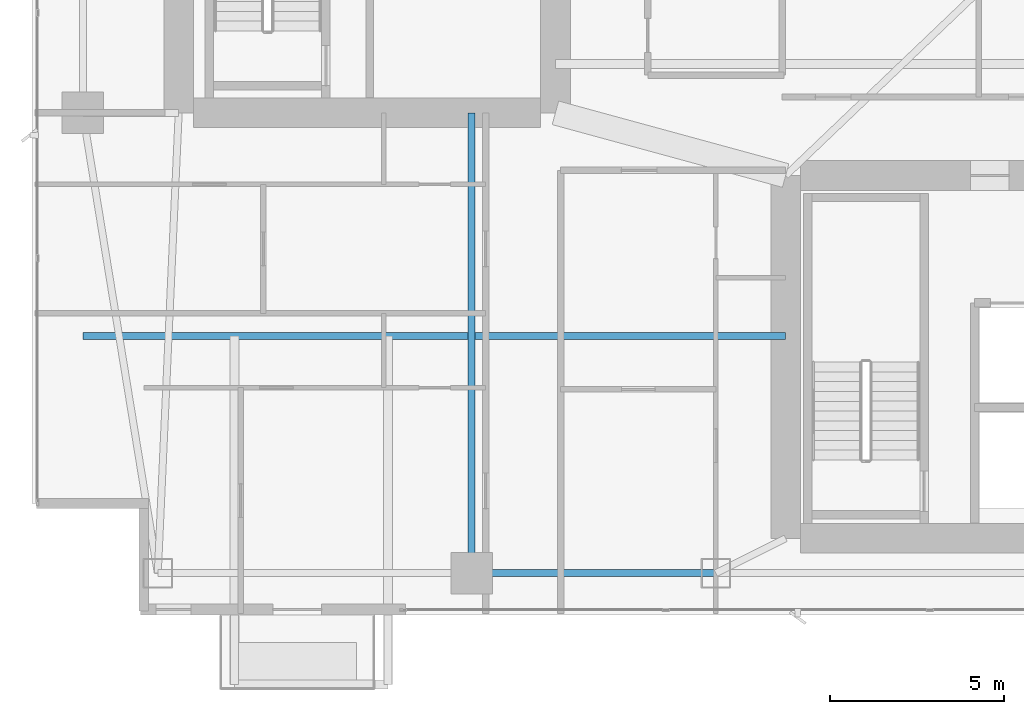
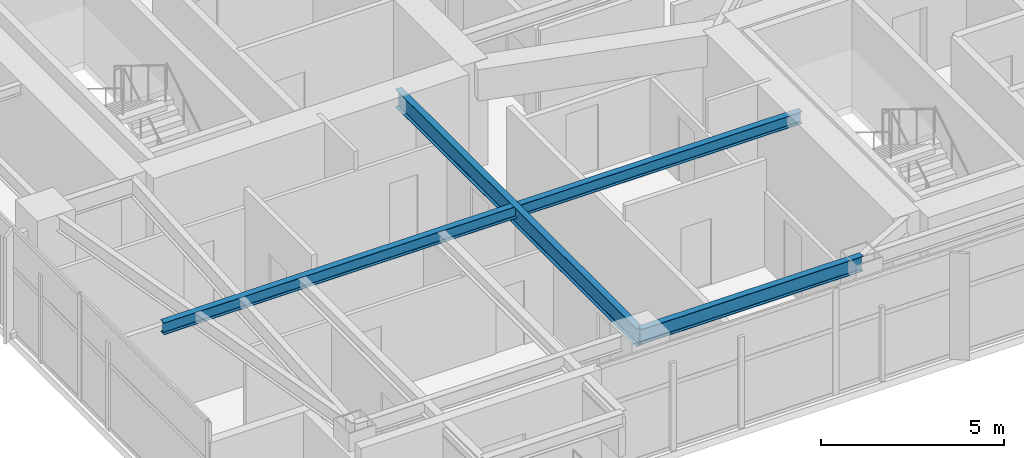
# One storey, part 5 of 29: 3 beams.
"""IFC4 building model written with IfcOpenShell, lengths in metres."""

import ifcopenshell
import ifcopenshell.guid

model = None  # the IFC model being written
_history = None  # IfcOwnerHistory: only IFC2X3 demands one
_inside = {}  # id of a spatial element -> (the spatial element, [elements in it])
_under = {}  # id of a project, library or spatial element -> (it, [spatial elements below it])
_declared = {}  # id of a project -> (the project, [libraries it declares])
_typed = {}  # id of a type object -> (the type object, [elements of that type])
_made_of = {}  # id of a material, layer set ... -> (it, [elements and type objects made of it])


def new_model(schema):
    """Start an empty IFC model of exactly this schema.

    Asked for "IFC4X3", IfcOpenShell would pick the latest addendum, in which some entities
    have other attributes; the version numbers below select the first issue.
    IFC2X3 requires an IfcOwnerHistory on every rooted entity: one is made here for all.
    """
    global model, _history
    if schema == "IFC4X3":
        model = ifcopenshell.file(schema_version=(4, 3, 0, 0))
    else:
        model = ifcopenshell.file(schema=schema)
    _inside.clear()
    _under.clear()
    _declared.clear()
    _typed.clear()
    _made_of.clear()
    _history = None
    if model.schema == "IFC2X3":
        org = make("IfcOrganization", Name="unknown")
        user = make(
            "IfcPersonAndOrganization",
            ThePerson=make("IfcPerson", FamilyName="unknown"),
            TheOrganization=org,
        )
        app = make(
            "IfcApplication",
            ApplicationDeveloper=org,
            Version="unknown",
            ApplicationFullName="unknown",
            ApplicationIdentifier="unknown",
        )
        _history = make(
            "IfcOwnerHistory",
            OwningUser=user,
            OwningApplication=app,
            ChangeAction="ADDED",
            CreationDate=0,
        )
    return model


def make(cls, **values):
    """One entity of the class cls with the attributes given. An attribute that is None is left unset."""
    return model.create_entity(
        cls, **{name: value for name, value in values.items() if value is not None}
    )


def rooted(cls, **values):
    """An entity with a GlobalId (a new one), such as an element, a storey or a relation."""
    return make(cls, GlobalId=ifcopenshell.guid.new(), OwnerHistory=_history, **values)


def si_unit(unit_type, name, prefix=None):
    """IfcSIUnit, for example si_unit("LENGTHUNIT", "METRE", prefix="MILLI")."""
    return make("IfcSIUnit", UnitType=unit_type, Prefix=prefix, Name=name)


def assignment(units):
    """IfcUnitAssignment: the units of a project."""
    return None if units is None else make("IfcUnitAssignment", Units=units)


def point(xyz):
    """IfcCartesianPoint."""
    return None if xyz is None else make("IfcCartesianPoint", Coordinates=xyz)


def direction(xyz):
    """IfcDirection."""
    return None if xyz is None else make("IfcDirection", DirectionRatios=xyz)


def frame(location, z_axis=None, x_axis=None):
    """IfcAxis2Placement3D, a coordinate frame: its origin and axes. An axis left out is left unset."""
    return make(
        "IfcAxis2Placement3D",
        Location=point(location),
        Axis=direction(z_axis),
        RefDirection=direction(x_axis),
    )


def frame_2d(location, x_axis=None):
    """IfcAxis2Placement2D, a coordinate frame in the plane: its origin and x axis."""
    return make(
        "IfcAxis2Placement2D", Location=point(location), RefDirection=direction(x_axis)
    )


def origin():
    """The frame at (0, 0, 0) with its axes left unset."""
    return frame((0.0, 0.0, 0.0))


def origin_2d():
    """The frame at (0, 0) in the plane with its x axis left unset."""
    return frame_2d((0.0, 0.0))


def place(relative_to, where):
    """IfcLocalPlacement: puts the frame where relative to a parent placement (None: the world)."""
    return make(
        "IfcLocalPlacement", PlacementRelTo=relative_to, RelativePlacement=where
    )


def context(
    kind, dimensions, precision=None, world=None, true_north=None, identifier=None
):
    """IfcGeometricRepresentationContext, for example the 3D "Model" context."""
    return make(
        "IfcGeometricRepresentationContext",
        ContextIdentifier=identifier,
        ContextType=kind,
        CoordinateSpaceDimension=dimensions,
        Precision=precision,
        WorldCoordinateSystem=world,
        TrueNorth=true_north,
    )


def subcontext(parent, identifier, kind, view, scale=None):
    """IfcGeometricRepresentationSubContext, for example "Body" below "Model"."""
    return make(
        "IfcGeometricRepresentationSubContext",
        ContextIdentifier=identifier,
        ContextType=kind,
        ParentContext=parent,
        TargetScale=scale,
        TargetView=view,
    )


def project(units=None, contexts=None):
    """IfcProject with its units and contexts."""
    return rooted(
        "IfcProject",
        Name="project",
        RepresentationContexts=contexts,
        UnitsInContext=assignment(units),
    )


def spatial(cls, under=None, at=None, **own):
    """A site, building, storey or space (cls), placed at a placement, below another one or the project."""
    s = rooted(cls, ObjectPlacement=at, **own)
    if under is not None:
        _under.setdefault(under.id(), (under, []))[1].append(s)
    return s


def profile(cls, at=None, kind="AREA", **sizes):
    """A parametric profile (cls). Its sizes go by their IFC names, for example OverallWidth=200.0."""
    return make(cls, ProfileType=kind, Position=at, **sizes)


def i_section(**sizes):
    """IfcIShapeProfileDef."""
    return profile("IfcIShapeProfileDef", **sizes)


def extrude(swept, where, along, depth):
    """IfcExtrudedAreaSolid: the profile swept, set in the frame where, extruded along a direction by depth."""
    return make(
        "IfcExtrudedAreaSolid",
        SweptArea=swept,
        Position=where,
        ExtrudedDirection=direction(along),
        Depth=depth,
    )


def shape(context_of_items, identifier, shape_type, items):
    """IfcShapeRepresentation: the items that make up one representation, for example the "Body"."""
    return make(
        "IfcShapeRepresentation",
        ContextOfItems=context_of_items,
        RepresentationIdentifier=identifier,
        RepresentationType=shape_type,
        Items=items,
    )


def material(Name=None, Category=None):
    """IfcMaterial."""
    return make("IfcMaterial", Name=Name, Category=Category)


def material_profile(
    of_material, cross_section, Name=None, Category=None, Priority=None
):
    """IfcMaterialProfile: a cross section and its material."""
    return make(
        "IfcMaterialProfile",
        Name=Name,
        Material=of_material,
        Profile=cross_section,
        Priority=Priority,
        Category=Category,
    )


def profile_set(profiles, Name=None, composite=None):
    """IfcMaterialProfileSet."""
    return make(
        "IfcMaterialProfileSet",
        Name=Name,
        MaterialProfiles=profiles,
        CompositeProfile=composite,
    )


def made_of(thing, what):
    """Note that an element or type object is made of a material, layer set ...; save() writes the relation."""
    if what is not None:
        _made_of.setdefault(what.id(), (what, []))[1].append(thing)
    return thing


def type_object(cls, material=None, **own):
    """A type object (cls), such as IfcWallType, which elements share."""
    return made_of(rooted(cls, **own), material)


def element(
    cls,
    number,
    at=None,
    inside=None,
    cuts=None,
    type_object=None,
    material=None,
    context=None,
    identifier="Body",
    shape_type=None,
    held_by="IfcProductDefinitionShape",
    body=None,
    shapes=None,
    **own,
):
    """One element of the class cls, such as IfcWall. Its Tag is "e" and its number.

    at: its placement. inside: the storey or other place that contains it. cuts: it is an
    opening in that element (IfcRelVoidsElement). A single representation is given by context,
    identifier, shape_type and body (its items); several are given by shapes. held_by: the class
    of the entity that holds the representations. save() writes the other relations.
    """
    e = rooted(cls, Tag="e%d" % number, ObjectPlacement=at, **own)
    if body is not None:
        shapes = [shape(context, identifier, shape_type, body)]
    if shapes is not None:
        e.Representation = make(held_by, Representations=shapes)
    if inside is not None:
        _inside.setdefault(inside.id(), (inside, []))[1].append(e)
    if cuts is not None:
        rooted(
            "IfcRelVoidsElement", RelatingBuildingElement=cuts, RelatedOpeningElement=e
        )
    if type_object is not None:
        _typed.setdefault(type_object.id(), (type_object, []))[1].append(e)
    return made_of(e, material)


def aggregate(whole, parts):
    """IfcRelAggregates: a whole, such as a stair, and the parts it consists of."""
    return rooted("IfcRelAggregates", RelatingObject=whole, RelatedObjects=parts)


def save(model, path):
    """Write the relations noted so far, then the file.

    IfcRelAggregates (storeys below a building ...), IfcRelContainedInSpatialStructure (elements
    in a storey), IfcRelDefinesByType, IfcRelAssociatesMaterial and IfcRelDeclares: one each for
    every whole, place, type object, material and project.
    """
    for whole, parts in _under.values():
        aggregate(whole, parts)
    for where, things in _inside.values():
        rooted(
            "IfcRelContainedInSpatialStructure",
            RelatedElements=things,
            RelatingStructure=where,
        )
    for kind, things in _typed.values():
        rooted("IfcRelDefinesByType", RelatedObjects=things, RelatingType=kind)
    for what, things in _made_of.values():
        rooted("IfcRelAssociatesMaterial", RelatedObjects=things, RelatingMaterial=what)
    for by, libraries in _declared.values():
        rooted("IfcRelDeclares", RelatingContext=by, RelatedDefinitions=libraries)
    model.write(path)


model = new_model("IFC4")

# Units and contexts
model_context = context("Model", 3, precision=1e-05, world=origin(), true_north=direction((0.0, 1.0)))
body_context = subcontext(model_context, "Body", "Model", "MODEL_VIEW")
ifc_project = project(units=[si_unit("LENGTHUNIT", "METRE"), si_unit("AREAUNIT", "SQUARE_METRE"), si_unit("VOLUMEUNIT", "CUBIC_METRE"), si_unit("PLANEANGLEUNIT", "RADIAN"), si_unit("MASSUNIT", "GRAM", prefix="KILO")], contexts=[model_context])

# Site, building, storey
site_placement = place(None, origin())
site = spatial("IfcSite", under=ifc_project, at=site_placement, CompositionType="ELEMENT")
building_placement = place(site_placement, origin())
building = spatial("IfcBuilding", under=site, at=building_placement, Name="Calvorn Quay Hotel", CompositionType="ELEMENT")
storey_placement = place(building_placement, frame((0.0, 0.0, 148.5)))
storey = spatial("IfcBuildingStorey", under=building, at=storey_placement, Name="L36", CompositionType="ELEMENT", Elevation=148.5)

# Beams
ifc_material_1 = material(Name="Steel Q355B", Category="steel")
ifc_material_profile_1 = material_profile(ifc_material_1, i_section(OverallWidth=0.199951171875, OverallDepth=0.60009765625, WebThickness=0.010986328125, FlangeThickness=0.01708984375, FilletRadius=0.01806640625, at=origin_2d()), Name="HN600x200x11x17")
ifc_profile_set_1 = profile_set([ifc_material_profile_1], Name="Steel Q355B")
beam_type_1 = type_object("IfcBeamType", Name="BM-GIRD-TYP", PredefinedType="BEAM", material=ifc_profile_set_1)
beam_1_placement = place(storey_placement, frame((12.60009765625, 3.60009765625, 3.239990234375), z_axis=(0.0, 1.0, 0.0), x_axis=(-1.0, 0.0, 0.0)))
element("IfcBeam", 1, at=beam_1_placement, inside=storey, type_object=beam_type_1, Name="Beam BG-L36-S1", PredefinedType="BEAM", context=body_context, shape_type="SweptSolid", body=[
    extrude(i_section(OverallWidth=0.199951171875, OverallDepth=0.60009765625, WebThickness=0.010986328125, FlangeThickness=0.01708984375, FilletRadius=0.01806640625, at=origin_2d()), origin(), (0.0, 0.0, 1.0), 13.199951171875),
])
ifc_material_2 = material(Name="Steel Q355B", Category="steel")
ifc_material_profile_2 = material_profile(ifc_material_2, i_section(OverallWidth=0.199951171875, OverallDepth=0.39990234375, WebThickness=0.008056640625, FlangeThickness=0.012939453125, FilletRadius=0.01611328125, at=origin_2d()), Name="HN400x200x8x13")
ifc_profile_set_2 = profile_set([ifc_material_profile_2], Name="Steel Q355B")
beam_type_2 = type_object("IfcBeamType", Name="BM-JOIST-TYP", PredefinedType="JOIST", material=ifc_profile_set_2)
beam_2_placement = place(storey_placement, frame((1.449951171875, 10.39990234375, 3.340087890625), z_axis=(1.0, 0.0, 0.0), x_axis=(0.0, 1.0, 0.0)))
element("IfcBeam", 2, at=beam_2_placement, inside=storey, type_object=beam_type_2, Name="Beam BJ-L36-W1", PredefinedType="JOIST", context=body_context, shape_type="SweptSolid", body=[
    extrude(i_section(OverallWidth=0.199951171875, OverallDepth=0.39990234375, WebThickness=0.008056640625, FlangeThickness=0.012939453125, FilletRadius=0.01611328125, at=origin_2d()), origin(), (0.0, 0.0, 1.0), 20.150146484375),
])
ifc_material_3 = material(Name="Steel Q355B", Category="steel")
ifc_material_profile_3 = material_profile(ifc_material_3, i_section(OverallWidth=0.199951171875, OverallDepth=0.5, WebThickness=0.010009765625, FlangeThickness=0.01611328125, FilletRadius=0.01611328125, at=origin_2d()), Name="HN500x200x10x16")
ifc_profile_set_3 = profile_set([ifc_material_profile_3], Name="Steel Q355B")
beam_type_3 = type_object("IfcBeamType", Name="BM-SPANDREL-Z1", PredefinedType="SPANDREL", material=ifc_profile_set_3)
beam_3_placement = place(storey_placement, frame((12.60009765625, 3.60009765625, 3.2900390625), z_axis=(1.0, 0.0, 0.0), x_axis=(0.0, 1.0, 0.0)))
element("IfcBeam", 3, at=beam_3_placement, inside=storey, type_object=beam_type_3, Name="Beam BSP-L36-S2", PredefinedType="SPANDREL", context=body_context, shape_type="SweptSolid", body=[
    extrude(i_section(OverallWidth=0.199951171875, OverallDepth=0.5, WebThickness=0.010009765625, FlangeThickness=0.01611328125, FilletRadius=0.01611328125, at=origin_2d()), origin(), (0.0, 0.0, 1.0), 7.0),
])

save(model, "model.ifc")
